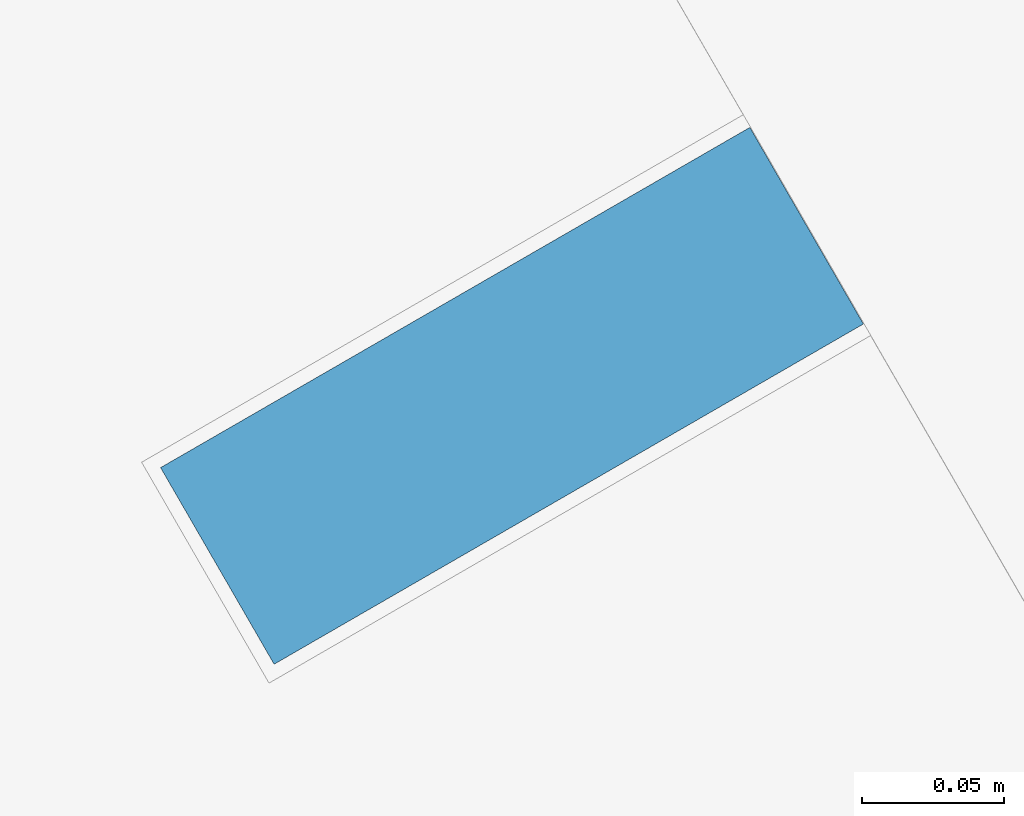
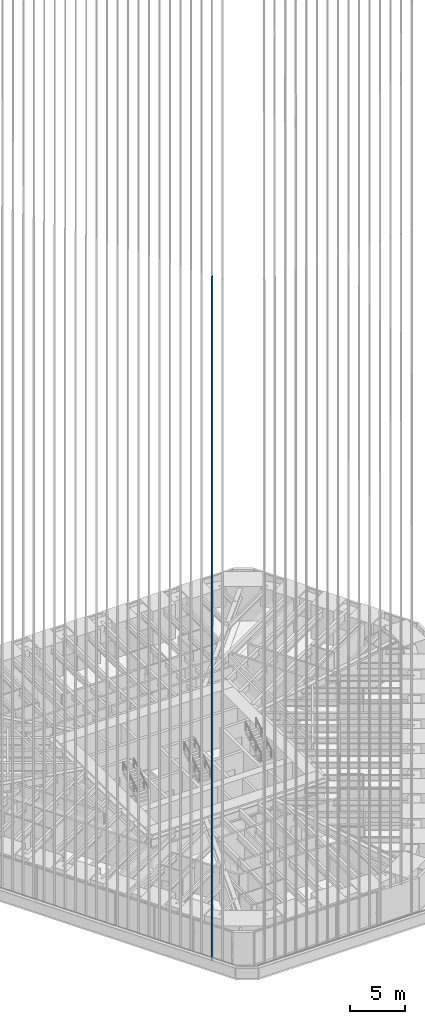
# One storey, part 13 of 238: 1 member, 1 element without a shape of its own.
"""IFC4 building model written with IfcOpenShell, lengths in metres."""

from ifc_helpers import new_model, si_unit, direction, frame, origin, origin_2d, place, context, subcontext, project, spatial, rectangle, extrude, material, material_profile, profile_set, type_object, element, aggregate, save


model = new_model("IFC4")

# Units and contexts
model_context = context("Model", 3, precision=1e-05, world=origin(), true_north=direction((0.0, 1.0)))
body_context = subcontext(model_context, "Body", "Model", "MODEL_VIEW")
ifc_project = project(units=[si_unit("LENGTHUNIT", "METRE"), si_unit("AREAUNIT", "SQUARE_METRE"), si_unit("VOLUMEUNIT", "CUBIC_METRE"), si_unit("PLANEANGLEUNIT", "RADIAN"), si_unit("MASSUNIT", "GRAM", prefix="KILO")], contexts=[model_context])

# Site, building, storey
site_placement = place(None, origin())
site = spatial("IfcSite", under=ifc_project, at=site_placement, CompositionType="ELEMENT")
building_placement = place(site_placement, origin())
building = spatial("IfcBuilding", under=site, at=building_placement, Name="Sandreach Pilgrim Tower", CompositionType="ELEMENT")
storey_placement = place(building_placement, frame((0.0, 0.0, 96.800048828125)))
storey = spatial("IfcBuildingStorey", under=building, at=storey_placement, Name="L23", CompositionType="ELEMENT", Elevation=96.800048828125)

# Curtain wall, member
ifc_material_1 = material(Name="Aluminium framed curtain wall", Category="aluminium")
curtain_wall_type = type_object("IfcCurtainWallType", Name="Hotel tower curtain wall", PredefinedType="NOTDEFINED", material=ifc_material_1)
curtain_wall_placement = place(storey_placement, origin())
curtain_wall = element("IfcCurtainWall", 1, at=curtain_wall_placement, inside=storey, type_object=curtain_wall_type, Name="CW-2 L23 SW", PredefinedType="NOTDEFINED")
ifc_material_2 = material(Name="Extruded terracotta on aluminium core", Category="masonry")
ifc_material_profile = material_profile(ifc_material_2, rectangle(XDim=0.080078125, YDim=0.239990234375, at=origin_2d()), Name="TBW 80X240")
ifc_profile_set = profile_set([ifc_material_profile], Name="Extruded terracotta on aluminium core")
member_type = type_object("IfcMemberType", Name="Terracotta baguette west", PredefinedType="USERDEFINED", material=ifc_profile_set)
member_placement = place(storey_placement, frame((-11.58349609375, -25.7646484375, 0.0), z_axis=(0.0, 0.0, 1.0), x_axis=(-0.5, 0.866025403784, 0.0)))
member = element("IfcMember", 2, at=member_placement, type_object=member_type, Name="Baguette Z2 SW02", ObjectType="BAGUETTE", PredefinedType="USERDEFINED", context=body_context, shape_type="SweptSolid", body=[
    extrude(rectangle(XDim=0.080078125, YDim=0.239990234375, at=origin_2d()), origin(), (0.0, 0.0, 1.0), 75.83984375),
])
aggregate(curtain_wall, [member])

save(model, "model.ifc")
